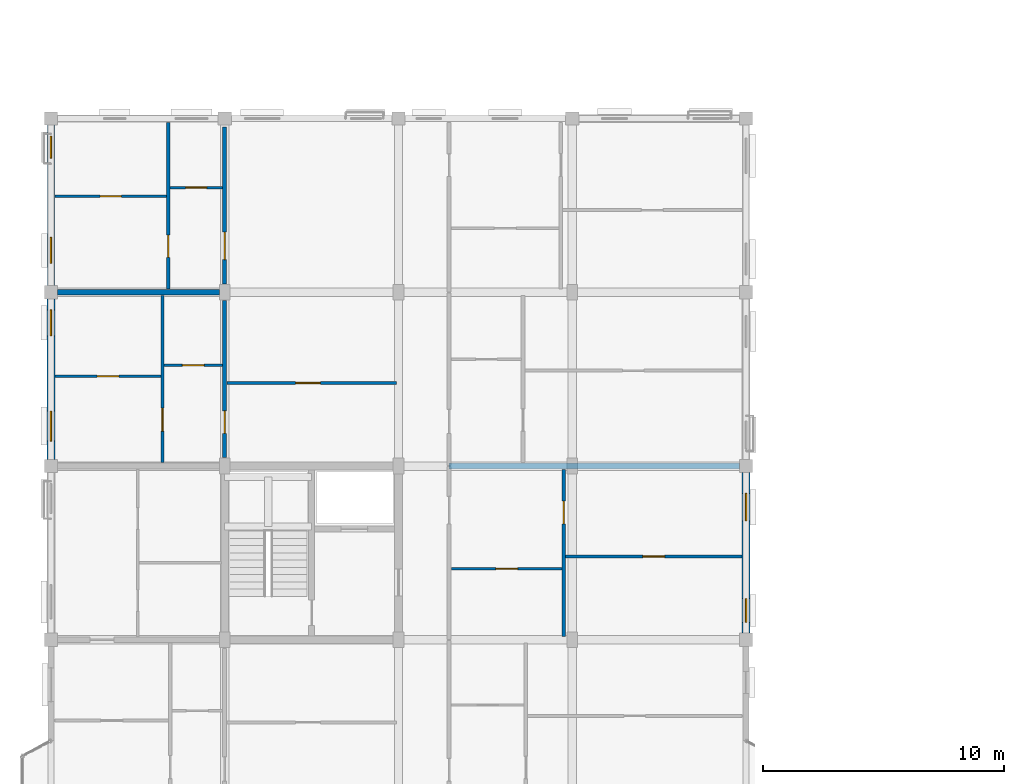
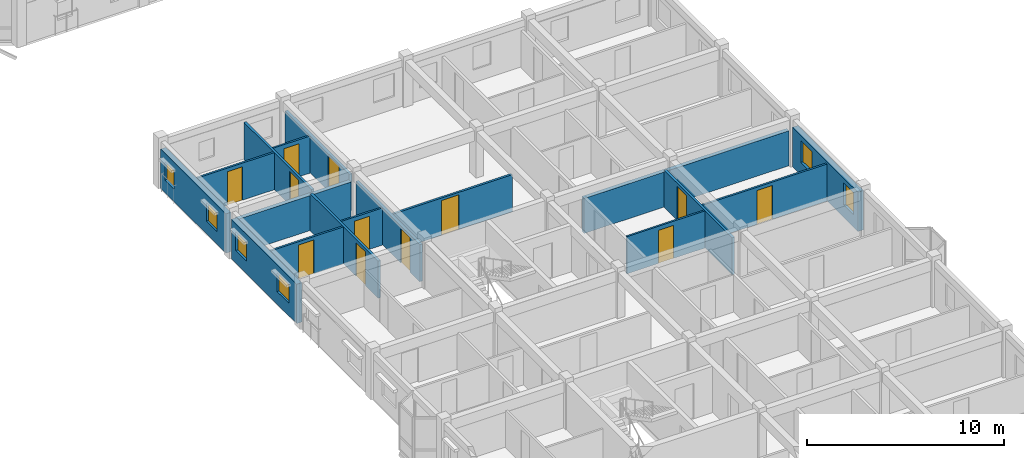
# One storey, part 53 of 79: 17 walls, 12 doors, 6 windows, 18 openings.
"""IFC4 building model written with IfcOpenShell, lengths in metres."""

from ifc_helpers import new_model, si_unit, direction, frame, frame_2d, origin, place, context, subcontext, project, spatial, rectangle, extrude, material, layer, layer_set, type_object, element, fill, save


model = new_model("IFC4")

# Units and contexts
model_context = context("Model", 3, precision=1e-05, world=origin(), true_north=direction((0.0, 1.0)))
body_context = subcontext(model_context, "Body", "Model", "MODEL_VIEW")
ifc_project = project(units=[si_unit("LENGTHUNIT", "METRE"), si_unit("AREAUNIT", "SQUARE_METRE"), si_unit("VOLUMEUNIT", "CUBIC_METRE"), si_unit("PLANEANGLEUNIT", "RADIAN"), si_unit("MASSUNIT", "GRAM", prefix="KILO"), si_unit("THERMODYNAMICTEMPERATUREUNIT", "KELVIN"), si_unit("POWERUNIT", "WATT")], contexts=[model_context])

# Site, building, storey
site_placement = place(None, origin())
site = spatial("IfcSite", under=ifc_project, at=site_placement, CompositionType="ELEMENT")
building_placement = place(site_placement, origin())
building = spatial("IfcBuilding", under=site, at=building_placement, Name="Tavuni Mirador Residences", CompositionType="ELEMENT")
storey_placement = place(building_placement, frame((0.0, 0.0, 13.949951171875)))
storey = spatial("IfcBuildingStorey", under=building, at=storey_placement, Name="L04", CompositionType="ELEMENT", Elevation=13.949951171875)

# Wall, opening, door
ifc_material_1 = material(Name="Precast concrete C40/50", Category="concrete")
ifc_layer_1 = layer(ifc_material_1, 0.1650390625, Name="Precast concrete C40/50", Category="concrete")
ifc_layer_set_1 = layer_set([ifc_layer_1], Name="Precast concrete C40/50")
wall_type_1 = type_object("IfcWallType", Name="WT-CORR165", PredefinedType="PARTITIONING", material=ifc_layer_set_1)
wall_1_placement = place(storey_placement, frame((10.800048828125, 36.35009765625, 0.0), z_axis=(0.0, 0.0, 1.0), x_axis=(0.0, 1.0, 0.0)))
wall_1 = element("IfcWall", 1, at=wall_1_placement, inside=storey, type_object=wall_type_1, Name="CORW-BLK-A-L04-1-04", PredefinedType="PARTITIONING", context=body_context, shape_type="SweptSolid", body=[
    extrude(rectangle(XDim=6.5, YDim=0.1650390625, at=frame_2d((3.25, 0.0))), origin(), (0.0, 0.0, 1.0), 2.304931640625),
])
opening_1_placement = place(wall_1_placement, frame((1.0, 0.0, 0.0)))
opening_1 = element("IfcOpeningElement", 2, at=opening_1_placement, cuts=wall_1, Name="Opening D-19", PredefinedType="OPENING", context=body_context, shape_type="SweptSolid", body=[
    extrude(rectangle(XDim=0.93994140625, YDim=2.1201171875, at=frame_2d((0.469970703125, 1.06005859375))), frame((0.0, 0.092529296875, 0.0), z_axis=(0.0, -1.0, 0.0), x_axis=(1.0, 0.0, 0.0)), (0.0, 0.0, 1.0), 0.18505859375),
])
ifc_material_2 = material(Name="Solid core iroko timber", Category="wood")
door_type_1 = type_object("IfcDoorType", Name="DT-FD60-940", OperationType="NOTDEFINED", PredefinedType="DOOR", material=ifc_material_2)
door_1_placement = place(opening_1_placement, origin())
door_1 = element("IfcDoor", 3, at=door_1_placement, inside=storey, type_object=door_type_1, Name="DR-2431", OperationType="SINGLE_SWING_RIGHT", OverallHeight=2.1201171875, OverallWidth=0.93994140625, PredefinedType="DOOR", context=body_context, shape_type="SweptSolid", body=[
    extrude(rectangle(XDim=0.93994140625, YDim=2.1201171875, at=frame_2d((0.469970703125, 1.06005859375))), frame((0.0, 0.02490234375, 0.0), z_axis=(0.0, -1.0, 0.0), x_axis=(1.0, 0.0, 0.0)), (0.0, 0.0, 1.0), 0.050048828125),
])
fill(opening_1, door_1)

wall_2_placement = place(storey_placement, frame((10.800048828125, 43.550048828125, 0.0), z_axis=(0.0, 0.0, 1.0), x_axis=(0.0, 1.0, 0.0)))
wall_2 = element("IfcWall", 4, at=wall_2_placement, inside=storey, type_object=wall_type_1, Name="CORW-BLK-A-L04-1-05", PredefinedType="PARTITIONING", context=body_context, shape_type="SweptSolid", body=[
    extrude(rectangle(XDim=6.5, YDim=0.1650390625, at=frame_2d((3.25, 0.0))), origin(), (0.0, 0.0, 1.0), 2.304931640625),
])
opening_2_placement = place(wall_2_placement, frame((1.0, 0.0, 0.0)))
opening_2 = element("IfcOpeningElement", 5, at=opening_2_placement, cuts=wall_2, Name="Opening D-20", PredefinedType="OPENING", context=body_context, shape_type="SweptSolid", body=[
    extrude(rectangle(XDim=1.139892578125, YDim=2.179931640625, at=frame_2d((0.56982421875, 1.08984375))), frame((0.0, 0.092529296875, 0.0), z_axis=(0.0, -1.0, 0.0), x_axis=(1.0, 0.0, 0.0)), (0.0, 0.0, 1.0), 0.18505859375),
])
door_type_2 = type_object("IfcDoorType", Name="DT-FD60-1140", OperationType="NOTDEFINED", PredefinedType="DOOR", material=ifc_material_2)
door_2_placement = place(opening_2_placement, origin())
door_2 = element("IfcDoor", 6, at=door_2_placement, inside=storey, type_object=door_type_2, Name="DR-2432", OperationType="SINGLE_SWING_LEFT", OverallHeight=2.179931640625, OverallWidth=1.139892578125, PredefinedType="DOOR", context=body_context, shape_type="SweptSolid", body=[
    extrude(rectangle(XDim=1.139892578125, YDim=2.179931640625, at=frame_2d((0.56982421875, 1.08984375))), frame((0.0, 0.02490234375, 0.0), z_axis=(0.0, -1.0, 0.0), x_axis=(1.0, 0.0, 0.0)), (0.0, 0.0, 1.0), 0.050048828125),
])
fill(opening_2, door_2)

# Wall, openings, windows
ifc_layer_2 = layer(ifc_material_1, 0.330078125, Name="Precast concrete C40/50", Category="concrete")
ifc_layer_set_2 = layer_set([ifc_layer_2], Name="Precast concrete C40/50")
wall_type_2 = type_object("IfcWallType", Name="WT-EXT-COR330", PredefinedType="SOLIDWALL", material=ifc_layer_set_2)
wall_3_placement = place(storey_placement, frame((32.39990234375, 29.074951171875, 0.0), z_axis=(0.0, 0.0, 1.0), x_axis=(0.0, 1.0, 0.0)))
wall_3 = element("IfcWall", 7, at=wall_3_placement, inside=storey, type_object=wall_type_2, Name="EW-BLK-A-L04-E03", PredefinedType="SOLIDWALL", context=body_context, shape_type="SweptSolid", body=[
    extrude(rectangle(XDim=6.650146484375, YDim=0.330078125, at=frame_2d((3.3251953125, 0.0))), origin(), (0.0, 0.0, 1.0), 2.43994140625),
])
opening_3_placement = place(wall_3_placement, frame((0.449951171875, 0.0, 0.780029296875)))
opening_3 = element("IfcOpeningElement", 8, at=opening_3_placement, cuts=wall_3, Name="Opening WN-18", PredefinedType="OPENING", context=body_context, shape_type="SweptSolid", body=[
    extrude(rectangle(XDim=0.97998046875, YDim=1.360107421875, at=frame_2d((0.489990234375, 0.68017578125))), frame((0.0, 0.175048828125, 0.0), z_axis=(0.0, -1.0, 0.0), x_axis=(1.0, 0.0, 0.0)), (0.0, 0.0, 1.0), 0.35009765625),
])
opening_4_placement = place(wall_3_placement, frame((4.64990234375, 0.0, 0.780029296875)))
opening_4 = element("IfcOpeningElement", 9, at=opening_4_placement, cuts=wall_3, Name="Opening WN-20", PredefinedType="OPENING", context=body_context, shape_type="SweptSolid", body=[
    extrude(rectangle(XDim=1.139892578125, YDim=1.360107421875, at=frame_2d((0.56982421875, 0.68017578125))), frame((0.0, 0.175048828125, 0.0), z_axis=(0.0, -1.0, 0.0), x_axis=(1.0, 0.0, 0.0)), (0.0, 0.0, 1.0), 0.35009765625),
])
ifc_material_3 = material(Name="Laminated solar-control glass", Category="glass")
window_type_1 = type_object("IfcWindowType", Name="WNT-18", PartitioningType="SINGLE_PANEL", PredefinedType="WINDOW", material=ifc_material_3)
window_1_placement = place(opening_3_placement, origin())
window_1 = element("IfcWindow", 10, at=window_1_placement, inside=storey, type_object=window_type_1, Name="WIN-0163", OverallHeight=1.360107421875, OverallWidth=0.97998046875, PartitioningType="SINGLE_PANEL", PredefinedType="WINDOW", context=body_context, shape_type="SweptSolid", body=[
    extrude(rectangle(XDim=0.97998046875, YDim=1.360107421875, at=frame_2d((0.489990234375, 0.68017578125))), frame((0.0, 0.030029296875, 0.0), z_axis=(0.0, -1.0, 0.0), x_axis=(1.0, 0.0, 0.0)), (0.0, 0.0, 1.0), 0.06005859375),
])
fill(opening_3, window_1)
window_type_2 = type_object("IfcWindowType", Name="WNT-20", PartitioningType="SINGLE_PANEL", PredefinedType="WINDOW", material=ifc_material_3)
window_2_placement = place(opening_4_placement, origin())
window_2 = element("IfcWindow", 11, at=window_2_placement, inside=storey, type_object=window_type_2, Name="WIN-0164", OverallHeight=1.360107421875, OverallWidth=1.139892578125, PartitioningType="SINGLE_PANEL", PredefinedType="WINDOW", context=body_context, shape_type="SweptSolid", body=[
    extrude(rectangle(XDim=1.139892578125, YDim=1.360107421875, at=frame_2d((0.56982421875, 0.68017578125))), frame((0.0, 0.030029296875, 0.0), z_axis=(0.0, -1.0, 0.0), x_axis=(1.0, 0.0, 0.0)), (0.0, 0.0, 1.0), 0.06005859375),
])
fill(opening_4, window_2)

ifc_material_4 = material(Name="Sgraffito lime-rendered precast concrete C40/50", Category="concrete")
ifc_layer_3 = layer(ifc_material_4, 0.304931640625, Name="Sgraffito lime-rendered precast concrete C40/50", Category="concrete")
ifc_layer_set_3 = layer_set([ifc_layer_3], Name="Sgraffito lime-rendered precast concrete C40/50")
wall_type_3 = type_object("IfcWallType", Name="WT-EXT-PC305", PredefinedType="SOLIDWALL", material=ifc_layer_set_3)
wall_4_placement = place(storey_placement, frame((3.60009765625, 50.125, 0.0), z_axis=(0.0, 0.0, 1.0), x_axis=(0.0, -1.0, 0.0)))
wall_4 = element("IfcWall", 12, at=wall_4_placement, inside=storey, type_object=wall_type_3, Name="EW-BLK-A-L04-W05", PredefinedType="SOLIDWALL", context=body_context, shape_type="SweptSolid", body=[
    extrude(rectangle(XDim=6.64990234375, YDim=0.304931640625, at=frame_2d((3.324951171875, 0.0))), origin(), (0.0, 0.0, 1.0), 2.43994140625),
])
opening_5_placement = place(wall_4_placement, frame((0.449951171875, 0.0, 0.780029296875)))
opening_5 = element("IfcOpeningElement", 13, at=opening_5_placement, cuts=wall_4, Name="Opening WN-02", PredefinedType="OPENING", context=body_context, shape_type="SweptSolid", body=[
    extrude(rectangle(XDim=0.919921875, YDim=1.14990234375, at=frame_2d((0.4599609375, 0.574951171875))), frame((0.0, 0.16259765625, 0.0), z_axis=(0.0, -1.0, 0.0), x_axis=(1.0, 0.0, 0.0)), (0.0, 0.0, 1.0), 0.324951171875),
])
opening_6_placement = place(wall_4_placement, frame((4.64990234375, 0.0, 0.780029296875)))
opening_6 = element("IfcOpeningElement", 14, at=opening_6_placement, cuts=wall_4, Name="Opening WN-04", PredefinedType="OPENING", context=body_context, shape_type="SweptSolid", body=[
    extrude(rectangle(XDim=1.080078125, YDim=1.14990234375, at=frame_2d((0.5400390625, 0.574951171875))), frame((0.0, 0.16259765625, 0.0), z_axis=(0.0, -1.0, 0.0), x_axis=(1.0, 0.0, 0.0)), (0.0, 0.0, 1.0), 0.324951171875),
])
window_type_3 = type_object("IfcWindowType", Name="WNT-02", PartitioningType="SINGLE_PANEL", PredefinedType="WINDOW", material=ifc_material_3)
window_3_placement = place(opening_5_placement, origin())
window_3 = element("IfcWindow", 15, at=window_3_placement, inside=storey, type_object=window_type_3, Name="WIN-0177", OverallHeight=1.14990234375, OverallWidth=0.919921875, PartitioningType="SINGLE_PANEL", PredefinedType="WINDOW", context=body_context, shape_type="SweptSolid", body=[
    extrude(rectangle(XDim=0.919921875, YDim=1.14990234375, at=frame_2d((0.4599609375, 0.574951171875))), frame((0.0, 0.030029296875, 0.0), z_axis=(0.0, -1.0, 0.0), x_axis=(1.0, 0.0, 0.0)), (0.0, 0.0, 1.0), 0.06005859375),
])
fill(opening_5, window_3)
window_type_4 = type_object("IfcWindowType", Name="WNT-04", PartitioningType="SINGLE_PANEL", PredefinedType="WINDOW", material=ifc_material_3)
window_4_placement = place(opening_6_placement, origin())
window_4 = element("IfcWindow", 16, at=window_4_placement, inside=storey, type_object=window_type_4, Name="WIN-0178", OverallHeight=1.14990234375, OverallWidth=1.080078125, PartitioningType="SINGLE_PANEL", PredefinedType="WINDOW", context=body_context, shape_type="SweptSolid", body=[
    extrude(rectangle(XDim=1.080078125, YDim=1.14990234375, at=frame_2d((0.5400390625, 0.574951171875))), frame((0.0, 0.030029296875, 0.0), z_axis=(0.0, -1.0, 0.0), x_axis=(1.0, 0.0, 0.0)), (0.0, 0.0, 1.0), 0.06005859375),
])
fill(opening_6, window_4)

ifc_layer_4 = layer(ifc_material_4, 0.31494140625, Name="Sgraffito lime-rendered precast concrete C40/50", Category="concrete")
ifc_layer_set_4 = layer_set([ifc_layer_4], Name="Sgraffito lime-rendered precast concrete C40/50")
wall_type_4 = type_object("IfcWallType", Name="WT-EXT-PC315", PredefinedType="SOLIDWALL", material=ifc_layer_set_4)
wall_5_placement = place(storey_placement, frame((3.60009765625, 42.925048828125, 0.0), z_axis=(0.0, 0.0, 1.0), x_axis=(0.0, -1.0, 0.0)))
wall_5 = element("IfcWall", 17, at=wall_5_placement, inside=storey, type_object=wall_type_4, Name="EW-BLK-A-L04-W04", PredefinedType="SOLIDWALL", context=body_context, shape_type="SweptSolid", body=[
    extrude(rectangle(XDim=6.650146484375, YDim=0.31494140625, at=frame_2d((3.3251953125, 0.0))), origin(), (0.0, 0.0, 1.0), 2.43994140625),
])
opening_7_placement = place(wall_5_placement, frame((0.449951171875, 0.0, 0.780029296875)))
opening_7 = element("IfcOpeningElement", 18, at=opening_7_placement, cuts=wall_5, Name="Opening WN-04", PredefinedType="OPENING", context=body_context, shape_type="SweptSolid", body=[
    extrude(rectangle(XDim=1.080078125, YDim=1.14990234375, at=frame_2d((0.5400390625, 0.574951171875))), frame((0.0, 0.16748046875, 0.0), z_axis=(0.0, -1.0, 0.0), x_axis=(1.0, 0.0, 0.0)), (0.0, 0.0, 1.0), 0.3349609375),
])
opening_8_placement = place(wall_5_placement, frame((4.64990234375, 0.0, 0.780029296875)))
opening_8 = element("IfcOpeningElement", 19, at=opening_8_placement, cuts=wall_5, Name="Opening WN-06", PredefinedType="OPENING", context=body_context, shape_type="SweptSolid", body=[
    extrude(rectangle(XDim=1.239990234375, YDim=1.14990234375, at=frame_2d((0.6201171875, 0.574951171875))), frame((0.0, 0.16748046875, 0.0), z_axis=(0.0, -1.0, 0.0), x_axis=(1.0, 0.0, 0.0)), (0.0, 0.0, 1.0), 0.3349609375),
])
window_5_placement = place(opening_7_placement, origin())
window_5 = element("IfcWindow", 20, at=window_5_placement, inside=storey, type_object=window_type_4, Name="WIN-0179", OverallHeight=1.14990234375, OverallWidth=1.080078125, PartitioningType="SINGLE_PANEL", PredefinedType="WINDOW", context=body_context, shape_type="SweptSolid", body=[
    extrude(rectangle(XDim=1.080078125, YDim=1.14990234375, at=frame_2d((0.5400390625, 0.574951171875))), frame((0.0, 0.030029296875, 0.0), z_axis=(0.0, -1.0, 0.0), x_axis=(1.0, 0.0, 0.0)), (0.0, 0.0, 1.0), 0.06005859375),
])
fill(opening_7, window_5)
window_type_5 = type_object("IfcWindowType", Name="WNT-06", PartitioningType="SINGLE_PANEL", PredefinedType="WINDOW", material=ifc_material_3)
window_6_placement = place(opening_8_placement, origin())
window_6 = element("IfcWindow", 21, at=window_6_placement, inside=storey, type_object=window_type_5, Name="WIN-0180", OverallHeight=1.14990234375, OverallWidth=1.239990234375, PartitioningType="SINGLE_PANEL", PredefinedType="WINDOW", context=body_context, shape_type="SweptSolid", body=[
    extrude(rectangle(XDim=1.239990234375, YDim=1.14990234375, at=frame_2d((0.6201171875, 0.574951171875))), frame((0.0, 0.030029296875, 0.0), z_axis=(0.0, -1.0, 0.0), x_axis=(1.0, 0.0, 0.0)), (0.0, 0.0, 1.0), 0.06005859375),
])
fill(opening_8, window_6)

# Wall, opening, door
ifc_material_5 = material(Name="Acoustic gypsum and concrete block partition", Category="concrete")
ifc_layer_5 = layer(ifc_material_5, 0.10498046875, Name="Acoustic gypsum and concrete block partition", Category="concrete")
ifc_layer_set_5 = layer_set([ifc_layer_5], Name="Acoustic gypsum and concrete block partition")
wall_type_5 = type_object("IfcWallType", Name="WT-PART105", PredefinedType="PARTITIONING", material=ifc_layer_set_5)
wall_6_placement = place(storey_placement, frame((20.18994140625, 31.75, 0.0), z_axis=(0.0, 0.0, 1.0), x_axis=(1.0, 0.0, 0.0)))
wall_6 = element("IfcWall", 22, at=wall_6_placement, inside=storey, type_object=wall_type_5, Name="PW-BLK-A-L04-E03-IN1", PredefinedType="PARTITIONING", context=body_context, shape_type="SweptSolid", body=[
    extrude(rectangle(XDim=4.590087890625, YDim=0.10498046875, at=frame_2d((2.294921875, 0.0))), origin(), (0.0, 0.0, 1.0), 2.304931640625),
])
opening_9_placement = place(wall_6_placement, frame((1.844970703125, 0.0, 0.0)))
opening_9 = element("IfcOpeningElement", 23, at=opening_9_placement, cuts=wall_6, Name="Opening D-09", PredefinedType="OPENING", context=body_context, shape_type="SweptSolid", body=[
    extrude(rectangle(XDim=0.89990234375, YDim=2.050048828125, at=frame_2d((0.449951171875, 1.02490234375))), frame((0.0, 0.0625, 0.0), z_axis=(0.0, -1.0, 0.0), x_axis=(1.0, 0.0, 0.0)), (0.0, 0.0, 1.0), 0.125),
])
door_type_3 = type_object("IfcDoorType", Name="DT-WC900", OperationType="NOTDEFINED", PredefinedType="DOOR", material=ifc_material_2)
door_3_placement = place(opening_9_placement, origin())
door_3 = element("IfcDoor", 24, at=door_3_placement, inside=storey, type_object=door_type_3, Name="DR-3084", OperationType="SINGLE_SWING_RIGHT", OverallHeight=2.050048828125, OverallWidth=0.89990234375, PredefinedType="DOOR", context=body_context, shape_type="SweptSolid", body=[
    extrude(rectangle(XDim=0.89990234375, YDim=2.050048828125, at=frame_2d((0.449951171875, 1.02490234375))), frame((0.0, 0.02490234375, 0.0), z_axis=(0.0, -1.0, 0.0), x_axis=(1.0, 0.0, 0.0)), (0.0, 0.0, 1.0), 0.050048828125),
])
fill(opening_9, door_3)

wall_7_placement = place(storey_placement, frame((8.2900390625, 40.179931640625, 0.0), z_axis=(0.0, 0.0, 1.0), x_axis=(1.0, 0.0, 0.0)))
wall_7 = element("IfcWall", 25, at=wall_7_placement, inside=storey, type_object=wall_type_5, Name="PW-BLK-A-L04-W04-IN1", PredefinedType="PARTITIONING", context=body_context, shape_type="SweptSolid", body=[
    extrude(rectangle(XDim=2.419921875, YDim=0.10498046875, at=frame_2d((1.2099609375, 0.0))), origin(), (0.0, 0.0, 1.0), 2.304931640625),
])
opening_10_placement = place(wall_7_placement, frame((0.760009765625, 0.0, 0.0)))
opening_10 = element("IfcOpeningElement", 26, at=opening_10_placement, cuts=wall_7, Name="Opening D-09", PredefinedType="OPENING", context=body_context, shape_type="SweptSolid", body=[
    extrude(rectangle(XDim=0.89990234375, YDim=2.050048828125, at=frame_2d((0.449951171875, 1.02490234375))), frame((0.0, 0.0625, 0.0), z_axis=(0.0, -1.0, 0.0), x_axis=(1.0, 0.0, 0.0)), (0.0, 0.0, 1.0), 0.125),
])
door_4_placement = place(opening_10_placement, origin())
door_4 = element("IfcDoor", 27, at=door_4_placement, inside=storey, type_object=door_type_3, Name="DR-3088", OperationType="SINGLE_SWING_RIGHT", OverallHeight=2.050048828125, OverallWidth=0.89990234375, PredefinedType="DOOR", context=body_context, shape_type="SweptSolid", body=[
    extrude(rectangle(XDim=0.89990234375, YDim=2.050048828125, at=frame_2d((0.449951171875, 1.02490234375))), frame((0.0, 0.02490234375, 0.0), z_axis=(0.0, -1.0, 0.0), x_axis=(1.0, 0.0, 0.0)), (0.0, 0.0, 1.0), 0.050048828125),
])
fill(opening_10, door_4)

wall_8_placement = place(storey_placement, frame((8.530029296875, 47.5400390625, 0.0), z_axis=(0.0, 0.0, 1.0), x_axis=(1.0, 0.0, 0.0)))
wall_8 = element("IfcWall", 28, at=wall_8_placement, inside=storey, type_object=wall_type_5, Name="PW-BLK-A-L04-W05-IN1", PredefinedType="PARTITIONING", context=body_context, shape_type="SweptSolid", body=[
    extrude(rectangle(XDim=2.179931640625, YDim=0.10498046875, at=frame_2d((1.08984375, 0.0))), origin(), (0.0, 0.0, 1.0), 2.304931640625),
])
opening_11_placement = place(wall_8_placement, frame((0.655029296875, 0.0, 0.0)))
opening_11 = element("IfcOpeningElement", 29, at=opening_11_placement, cuts=wall_8, Name="Opening D-10", PredefinedType="OPENING", context=body_context, shape_type="SweptSolid", body=[
    extrude(rectangle(XDim=0.8701171875, YDim=2.050048828125, at=frame_2d((0.43505859375, 1.02490234375))), frame((0.0, 0.0625, 0.0), z_axis=(0.0, -1.0, 0.0), x_axis=(1.0, 0.0, 0.0)), (0.0, 0.0, 1.0), 0.125),
])
door_type_4 = type_object("IfcDoorType", Name="DT-WC870", OperationType="NOTDEFINED", PredefinedType="DOOR", material=ifc_material_2)
door_5_placement = place(opening_11_placement, origin())
door_5 = element("IfcDoor", 30, at=door_5_placement, inside=storey, type_object=door_type_4, Name="DR-3094", OperationType="SINGLE_SWING_LEFT", OverallHeight=2.050048828125, OverallWidth=0.8701171875, PredefinedType="DOOR", context=body_context, shape_type="SweptSolid", body=[
    extrude(rectangle(XDim=0.8701171875, YDim=2.050048828125, at=frame_2d((0.43505859375, 1.02490234375))), frame((0.0, 0.02490234375, 0.0), z_axis=(0.0, -1.0, 0.0), x_axis=(1.0, 0.0, 0.0)), (0.0, 0.0, 1.0), 0.050048828125),
])
fill(opening_11, door_5)

ifc_layer_6 = layer(ifc_material_5, 0.114990234375, Name="Acoustic gypsum and concrete block partition", Category="concrete")
ifc_layer_set_6 = layer_set([ifc_layer_6], Name="Acoustic gypsum and concrete block partition")
wall_type_6 = type_object("IfcWallType", Name="WT-PART115", PredefinedType="PARTITIONING", material=ifc_layer_set_6)
wall_9_placement = place(storey_placement, frame((24.919921875, 32.25, 0.0), z_axis=(0.0, 0.0, 1.0), x_axis=(1.0, 0.0, 0.0)))
wall_9 = element("IfcWall", 31, at=wall_9_placement, inside=storey, type_object=wall_type_6, Name="PW-BLK-A-L04-E03-OUT", PredefinedType="PARTITIONING", context=body_context, shape_type="SweptSolid", body=[
    extrude(rectangle(XDim=7.30517578125, YDim=0.114990234375, at=frame_2d((3.652587890625, 0.0))), origin(), (0.0, 0.0, 1.0), 2.304931640625),
])
opening_12_placement = place(wall_9_placement, frame((3.202392578125, 0.0, 0.0)))
opening_12 = element("IfcOpeningElement", 32, at=opening_12_placement, cuts=wall_9, Name="Opening D-07", PredefinedType="OPENING", context=body_context, shape_type="SweptSolid", body=[
    extrude(rectangle(XDim=0.89990234375, YDim=2.10009765625, at=frame_2d((0.449951171875, 1.050048828125))), frame((0.0, 0.0673828125, 0.0), z_axis=(0.0, -1.0, 0.0), x_axis=(1.0, 0.0, 0.0)), (0.0, 0.0, 1.0), 0.135009765625),
])
door_type_5 = type_object("IfcDoorType", Name="DT-BED900", OperationType="NOTDEFINED", PredefinedType="DOOR", material=ifc_material_2)
door_6_placement = place(opening_12_placement, origin())
door_6 = element("IfcDoor", 33, at=door_6_placement, inside=storey, type_object=door_type_5, Name="DR-3083", OperationType="SINGLE_SWING_LEFT", OverallHeight=2.10009765625, OverallWidth=0.89990234375, PredefinedType="DOOR", context=body_context, shape_type="SweptSolid", body=[
    extrude(rectangle(XDim=0.89990234375, YDim=2.10009765625, at=frame_2d((0.449951171875, 1.050048828125))), frame((0.0, 0.02490234375, 0.0), z_axis=(0.0, -1.0, 0.0), x_axis=(1.0, 0.0, 0.0)), (0.0, 0.0, 1.0), 0.050048828125),
])
fill(opening_12, door_6)

wall_10_placement = place(storey_placement, frame((3.77490234375, 39.719970703125, 0.0), z_axis=(0.0, 0.0, 1.0), x_axis=(1.0, 0.0, 0.0)))
wall_10 = element("IfcWall", 34, at=wall_10_placement, inside=storey, type_object=wall_type_6, Name="PW-BLK-A-L04-W04-OUT", PredefinedType="PARTITIONING", context=body_context, shape_type="SweptSolid", body=[
    extrude(rectangle(XDim=4.375, YDim=0.114990234375, at=frame_2d((2.1875, 0.0))), origin(), (0.0, 0.0, 1.0), 2.304931640625),
])
opening_13_placement = place(wall_10_placement, frame((1.737548828125, 0.0, 0.0)))
opening_13 = element("IfcOpeningElement", 35, at=opening_13_placement, cuts=wall_10, Name="Opening D-07", PredefinedType="OPENING", context=body_context, shape_type="SweptSolid", body=[
    extrude(rectangle(XDim=0.89990234375, YDim=2.10009765625, at=frame_2d((0.449951171875, 1.050048828125))), frame((0.0, 0.0673828125, 0.0), z_axis=(0.0, -1.0, 0.0), x_axis=(1.0, 0.0, 0.0)), (0.0, 0.0, 1.0), 0.135009765625),
])
door_7_placement = place(opening_13_placement, origin())
door_7 = element("IfcDoor", 36, at=door_7_placement, inside=storey, type_object=door_type_5, Name="DR-3087", OperationType="SINGLE_SWING_LEFT", OverallHeight=2.10009765625, OverallWidth=0.89990234375, PredefinedType="DOOR", context=body_context, shape_type="SweptSolid", body=[
    extrude(rectangle(XDim=0.89990234375, YDim=2.10009765625, at=frame_2d((0.449951171875, 1.050048828125))), frame((0.0, 0.02490234375, 0.0), z_axis=(0.0, -1.0, 0.0), x_axis=(1.0, 0.0, 0.0)), (0.0, 0.0, 1.0), 0.050048828125),
])
fill(opening_13, door_7)

wall_11_placement = place(storey_placement, frame((3.77490234375, 47.179931640625, 0.0), z_axis=(0.0, 0.0, 1.0), x_axis=(1.0, 0.0, 0.0)))
wall_11 = element("IfcWall", 37, at=wall_11_placement, inside=storey, type_object=wall_type_6, Name="PW-BLK-A-L04-W05-OUT", PredefinedType="PARTITIONING", context=body_context, shape_type="SweptSolid", body=[
    extrude(rectangle(XDim=4.614990234375, YDim=0.114990234375, at=frame_2d((2.3076171875, 0.0))), origin(), (0.0, 0.0, 1.0), 2.304931640625),
])
opening_14_placement = place(wall_11_placement, frame((1.867431640625, 0.0, 0.0)))
opening_14 = element("IfcOpeningElement", 38, at=opening_14_placement, cuts=wall_11, Name="Opening D-08", PredefinedType="OPENING", context=body_context, shape_type="SweptSolid", body=[
    extrude(rectangle(XDim=0.8798828125, YDim=2.080078125, at=frame_2d((0.43994140625, 1.0400390625))), frame((0.0, 0.0673828125, 0.0), z_axis=(0.0, -1.0, 0.0), x_axis=(1.0, 0.0, 0.0)), (0.0, 0.0, 1.0), 0.135009765625),
])
door_type_6 = type_object("IfcDoorType", Name="DT-BED880", OperationType="NOTDEFINED", PredefinedType="DOOR", material=ifc_material_2)
door_8_placement = place(opening_14_placement, origin())
door_8 = element("IfcDoor", 39, at=door_8_placement, inside=storey, type_object=door_type_6, Name="DR-3093", OperationType="SINGLE_SWING_RIGHT", OverallHeight=2.080078125, OverallWidth=0.8798828125, PredefinedType="DOOR", context=body_context, shape_type="SweptSolid", body=[
    extrude(rectangle(XDim=0.8798828125, YDim=2.080078125, at=frame_2d((0.43994140625, 1.0400390625))), frame((0.0, 0.02490234375, 0.0), z_axis=(0.0, -1.0, 0.0), x_axis=(1.0, 0.0, 0.0)), (0.0, 0.0, 1.0), 0.050048828125),
])
fill(opening_14, door_8)

ifc_layer_7 = layer(ifc_material_5, 0.125, Name="Acoustic gypsum and concrete block partition", Category="concrete")
ifc_layer_set_7 = layer_set([ifc_layer_7], Name="Acoustic gypsum and concrete block partition")
wall_type_7 = type_object("IfcWallType", Name="WT-PART125", PredefinedType="PARTITIONING", material=ifc_layer_set_7)
wall_12_placement = place(storey_placement, frame((10.889892578125, 39.43994140625, 0.0), z_axis=(0.0, 0.0, 1.0), x_axis=(1.0, 0.0, 0.0)))
wall_12 = element("IfcWall", 40, at=wall_12_placement, inside=storey, type_object=wall_type_7, Name="PW-SPN-BLK-A-L04-04", PredefinedType="PARTITIONING", context=body_context, shape_type="SweptSolid", body=[
    extrude(rectangle(XDim=7.02001953125, YDim=0.125, at=frame_2d((3.510009765625, 0.0))), origin(), (0.0, 0.0, 1.0), 2.304931640625),
])
opening_15_placement = place(wall_12_placement, frame((2.85009765625, 0.0, 0.0)))
opening_15 = element("IfcOpeningElement", 41, at=opening_15_placement, cuts=wall_12, Name="Opening D-13", PredefinedType="OPENING", context=body_context, shape_type="SweptSolid", body=[
    extrude(rectangle(XDim=1.02001953125, YDim=2.14990234375, at=frame_2d((0.510009765625, 1.074951171875))), frame((0.0, 0.072509765625, 0.0), z_axis=(0.0, -1.0, 0.0), x_axis=(1.0, 0.0, 0.0)), (0.0, 0.0, 1.0), 0.14501953125),
])
door_type_7 = type_object("IfcDoorType", Name="DT-MTG1020", OperationType="NOTDEFINED", PredefinedType="DOOR", material=ifc_material_2)
door_9_placement = place(opening_15_placement, origin())
door_9 = element("IfcDoor", 42, at=door_9_placement, inside=storey, type_object=door_type_7, Name="DR-3086", OperationType="SINGLE_SWING_LEFT", OverallHeight=2.14990234375, OverallWidth=1.02001953125, PredefinedType="DOOR", context=body_context, shape_type="SweptSolid", body=[
    extrude(rectangle(XDim=1.02001953125, YDim=2.14990234375, at=frame_2d((0.510009765625, 1.074951171875))), frame((0.0, 0.02490234375, 0.0), z_axis=(0.0, -1.0, 0.0), x_axis=(1.0, 0.0, 0.0)), (0.0, 0.0, 1.0), 0.050048828125),
])
fill(opening_15, door_9)

ifc_layer_8 = layer(ifc_material_5, 0.139892578125, Name="Acoustic gypsum and concrete block partition", Category="concrete")
ifc_layer_set_8 = layer_set([ifc_layer_8], Name="Acoustic gypsum and concrete block partition")
wall_type_8 = type_object("IfcWallType", Name="WT-PART140", PredefinedType="PARTITIONING", material=ifc_layer_set_8)
wall_13_placement = place(storey_placement, frame((24.85009765625, 28.93994140625, 0.0), z_axis=(0.0, 0.0, 1.0), x_axis=(0.0, 1.0, 0.0)))
wall_13 = element("IfcWall", 43, at=wall_13_placement, inside=storey, type_object=wall_type_8, Name="PW-BLK-A-L04-E03-MID", PredefinedType="PARTITIONING", context=body_context, shape_type="SweptSolid", body=[
    extrude(rectangle(XDim=6.920166015625, YDim=0.139892578125, at=frame_2d((3.4599609375, 0.0))), origin(), (0.0, 0.0, 1.0), 2.304931640625),
])
opening_16_placement = place(wall_13_placement, frame((4.659912109375, 0.0, 0.0)))
opening_16 = element("IfcOpeningElement", 44, at=opening_16_placement, cuts=wall_13, Name="Opening D-05", PredefinedType="OPENING", context=body_context, shape_type="SweptSolid", body=[
    extrude(rectangle(XDim=0.949951171875, YDim=2.10009765625, at=frame_2d((0.47509765625, 1.050048828125))), frame((0.0, 0.080078125, 0.0), z_axis=(0.0, -1.0, 0.0), x_axis=(1.0, 0.0, 0.0)), (0.0, 0.0, 1.0), 0.159912109375),
])
door_type_8 = type_object("IfcDoorType", Name="DT-INT950", OperationType="NOTDEFINED", PredefinedType="DOOR", material=ifc_material_2)
door_10_placement = place(opening_16_placement, origin())
door_10 = element("IfcDoor", 45, at=door_10_placement, inside=storey, type_object=door_type_8, Name="DR-3085", OperationType="SINGLE_SWING_LEFT", OverallHeight=2.10009765625, OverallWidth=0.949951171875, PredefinedType="DOOR", context=body_context, shape_type="SweptSolid", body=[
    extrude(rectangle(XDim=0.949951171875, YDim=2.10009765625, at=frame_2d((0.47509765625, 1.050048828125))), frame((0.0, 0.02490234375, 0.0), z_axis=(0.0, -1.0, 0.0), x_axis=(1.0, 0.0, 0.0)), (0.0, 0.0, 1.0), 0.050048828125),
])
fill(opening_16, door_10)

wall_14_placement = place(storey_placement, frame((8.219970703125, 36.139892578125, 0.0), z_axis=(0.0, 0.0, 1.0), x_axis=(0.0, 1.0, 0.0)))
wall_14 = element("IfcWall", 46, at=wall_14_placement, inside=storey, type_object=wall_type_8, Name="PW-BLK-A-L04-W04-MID", PredefinedType="PARTITIONING", context=body_context, shape_type="SweptSolid", body=[
    extrude(rectangle(XDim=6.920166015625, YDim=0.139892578125, at=frame_2d((3.4599609375, 0.0))), origin(), (0.0, 0.0, 1.0), 2.304931640625),
])
opening_17_placement = place(wall_14_placement, frame((1.31005859375, 0.0, 0.0)))
opening_17 = element("IfcOpeningElement", 47, at=opening_17_placement, cuts=wall_14, Name="Opening D-05", PredefinedType="OPENING", context=body_context, shape_type="SweptSolid", body=[
    extrude(rectangle(XDim=0.949951171875, YDim=2.10009765625, at=frame_2d((0.47509765625, 1.050048828125))), frame((0.0, 0.080078125, 0.0), z_axis=(0.0, -1.0, 0.0), x_axis=(1.0, 0.0, 0.0)), (0.0, 0.0, 1.0), 0.159912109375),
])
door_11_placement = place(opening_17_placement, origin())
door_11 = element("IfcDoor", 48, at=door_11_placement, inside=storey, type_object=door_type_8, Name="DR-3089", OperationType="SINGLE_SWING_LEFT", OverallHeight=2.10009765625, OverallWidth=0.949951171875, PredefinedType="DOOR", context=body_context, shape_type="SweptSolid", body=[
    extrude(rectangle(XDim=0.949951171875, YDim=2.10009765625, at=frame_2d((0.47509765625, 1.050048828125))), frame((0.0, 0.02490234375, 0.0), z_axis=(0.0, -1.0, 0.0), x_axis=(1.0, 0.0, 0.0)), (0.0, 0.0, 1.0), 0.050048828125),
])
fill(opening_17, door_11)

wall_15_placement = place(storey_placement, frame((8.4599609375, 43.340087890625, 0.0), z_axis=(0.0, 0.0, 1.0), x_axis=(0.0, 1.0, 0.0)))
wall_15 = element("IfcWall", 49, at=wall_15_placement, inside=storey, type_object=wall_type_8, Name="PW-BLK-A-L04-W05-MID", PredefinedType="PARTITIONING", context=body_context, shape_type="SweptSolid", body=[
    extrude(rectangle(XDim=6.885009765625, YDim=0.139892578125, at=frame_2d((3.4423828125, 0.0))), origin(), (0.0, 0.0, 1.0), 2.304931640625),
])
opening_18_placement = place(wall_15_placement, frame((1.31005859375, 0.0, 0.0)))
opening_18 = element("IfcOpeningElement", 50, at=opening_18_placement, cuts=wall_15, Name="Opening D-06", PredefinedType="OPENING", context=body_context, shape_type="SweptSolid", body=[
    extrude(rectangle(XDim=0.919921875, YDim=2.10009765625, at=frame_2d((0.4599609375, 1.050048828125))), frame((0.0, 0.080078125, 0.0), z_axis=(0.0, -1.0, 0.0), x_axis=(1.0, 0.0, 0.0)), (0.0, 0.0, 1.0), 0.159912109375),
])
door_type_9 = type_object("IfcDoorType", Name="DT-INT920", OperationType="NOTDEFINED", PredefinedType="DOOR", material=ifc_material_2)
door_12_placement = place(opening_18_placement, origin())
door_12 = element("IfcDoor", 51, at=door_12_placement, inside=storey, type_object=door_type_9, Name="DR-3095", OperationType="SINGLE_SWING_RIGHT", OverallHeight=2.10009765625, OverallWidth=0.919921875, PredefinedType="DOOR", context=body_context, shape_type="SweptSolid", body=[
    extrude(rectangle(XDim=0.919921875, YDim=2.10009765625, at=frame_2d((0.4599609375, 1.050048828125))), frame((0.0, 0.02490234375, 0.0), z_axis=(0.0, -1.0, 0.0), x_axis=(1.0, 0.0, 0.0)), (0.0, 0.0, 1.0), 0.050048828125),
])
fill(opening_18, door_12)

# Walls
ifc_layer_9 = layer(ifc_material_1, 0.235107421875, Name="Precast concrete C40/50", Category="concrete")
ifc_layer_set_9 = layer_set([ifc_layer_9], Name="Precast concrete C40/50")
wall_type_9 = type_object("IfcWallType", Name="WT-XW235", PredefinedType="SOLIDWALL", material=ifc_layer_set_9)
wall_16_placement = place(storey_placement, frame((20.10009765625, 36.0, 0.0), z_axis=(0.0, 0.0, 1.0), x_axis=(1.0, 0.0, 0.0)))
element("IfcWall", 52, at=wall_16_placement, inside=storey, type_object=wall_type_9, Name="XW-BLK-A-L04-E-04", PredefinedType="SOLIDWALL", context=body_context, shape_type="SweptSolid", body=[
    extrude(rectangle(XDim=12.02490234375, YDim=0.235107421875, at=frame_2d((6.012451171875, 0.0))), origin(), (0.0, 0.0, 1.0), 2.170166015625),
])
wall_17_placement = place(storey_placement, frame((3.875, 43.199951171875, 0.0), z_axis=(0.0, 0.0, 1.0), x_axis=(1.0, 0.0, 0.0)))
element("IfcWall", 53, at=wall_17_placement, inside=storey, type_object=wall_type_9, Name="XW-BLK-A-L04-W-05", PredefinedType="SOLIDWALL", context=body_context, shape_type="SweptSolid", body=[
    extrude(rectangle(XDim=6.699951171875, YDim=0.235107421875, at=frame_2d((3.35009765625, 0.0))), origin(), (0.0, 0.0, 1.0), 2.170166015625),
])

save(model, "model.ifc")
